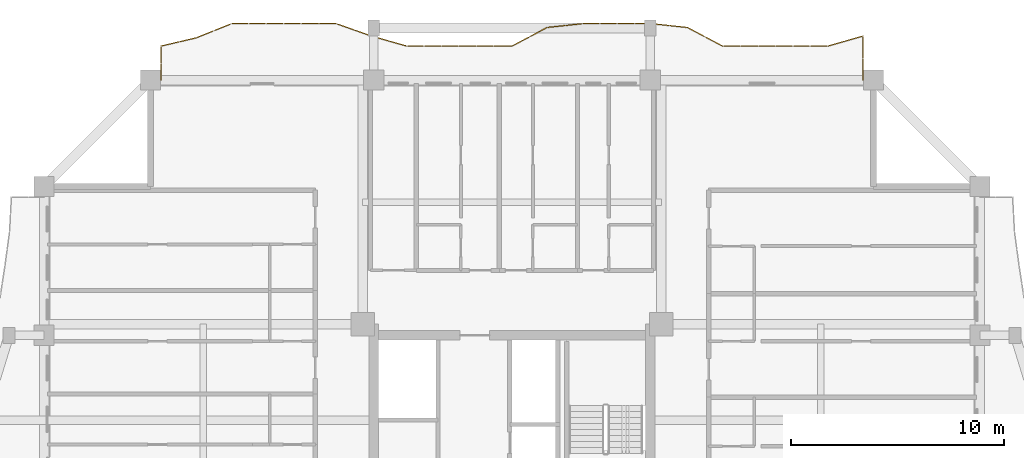
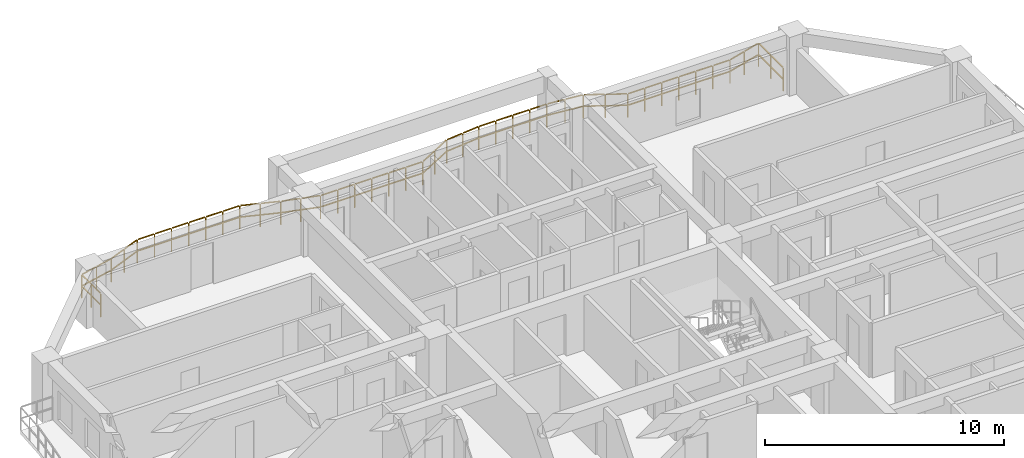
# One storey, part 15 of 15: 1 railing.
"""IFC4 building model written with IfcOpenShell, lengths in metres."""

import ifcopenshell
import ifcopenshell.guid

model = None  # the IFC model being written
_history = None  # IfcOwnerHistory: only IFC2X3 demands one
_inside = {}  # id of a spatial element -> (the spatial element, [elements in it])
_under = {}  # id of a project, library or spatial element -> (it, [spatial elements below it])
_declared = {}  # id of a project -> (the project, [libraries it declares])
_typed = {}  # id of a type object -> (the type object, [elements of that type])
_made_of = {}  # id of a material, layer set ... -> (it, [elements and type objects made of it])


def new_model(schema):
    """Start an empty IFC model of exactly this schema.

    Asked for "IFC4X3", IfcOpenShell would pick the latest addendum, in which some entities
    have other attributes; the version numbers below select the first issue.
    IFC2X3 requires an IfcOwnerHistory on every rooted entity: one is made here for all.
    """
    global model, _history
    if schema == "IFC4X3":
        model = ifcopenshell.file(schema_version=(4, 3, 0, 0))
    else:
        model = ifcopenshell.file(schema=schema)
    _inside.clear()
    _under.clear()
    _declared.clear()
    _typed.clear()
    _made_of.clear()
    _history = None
    if model.schema == "IFC2X3":
        org = make("IfcOrganization", Name="unknown")
        user = make(
            "IfcPersonAndOrganization",
            ThePerson=make("IfcPerson", FamilyName="unknown"),
            TheOrganization=org,
        )
        app = make(
            "IfcApplication",
            ApplicationDeveloper=org,
            Version="unknown",
            ApplicationFullName="unknown",
            ApplicationIdentifier="unknown",
        )
        _history = make(
            "IfcOwnerHistory",
            OwningUser=user,
            OwningApplication=app,
            ChangeAction="ADDED",
            CreationDate=0,
        )
    return model


def make(cls, **values):
    """One entity of the class cls with the attributes given. An attribute that is None is left unset."""
    return model.create_entity(
        cls, **{name: value for name, value in values.items() if value is not None}
    )


def rooted(cls, **values):
    """An entity with a GlobalId (a new one), such as an element, a storey or a relation."""
    return make(cls, GlobalId=ifcopenshell.guid.new(), OwnerHistory=_history, **values)


def si_unit(unit_type, name, prefix=None):
    """IfcSIUnit, for example si_unit("LENGTHUNIT", "METRE", prefix="MILLI")."""
    return make("IfcSIUnit", UnitType=unit_type, Prefix=prefix, Name=name)


def assignment(units):
    """IfcUnitAssignment: the units of a project."""
    return None if units is None else make("IfcUnitAssignment", Units=units)


def point(xyz):
    """IfcCartesianPoint."""
    return None if xyz is None else make("IfcCartesianPoint", Coordinates=xyz)


def direction(xyz):
    """IfcDirection."""
    return None if xyz is None else make("IfcDirection", DirectionRatios=xyz)


def frame(location, z_axis=None, x_axis=None):
    """IfcAxis2Placement3D, a coordinate frame: its origin and axes. An axis left out is left unset."""
    return make(
        "IfcAxis2Placement3D",
        Location=point(location),
        Axis=direction(z_axis),
        RefDirection=direction(x_axis),
    )


def frame_2d(location, x_axis=None):
    """IfcAxis2Placement2D, a coordinate frame in the plane: its origin and x axis."""
    return make(
        "IfcAxis2Placement2D", Location=point(location), RefDirection=direction(x_axis)
    )


def origin():
    """The frame at (0, 0, 0) with its axes left unset."""
    return frame((0.0, 0.0, 0.0))


def origin_2d():
    """The frame at (0, 0) in the plane with its x axis left unset."""
    return frame_2d((0.0, 0.0))


def place(relative_to, where):
    """IfcLocalPlacement: puts the frame where relative to a parent placement (None: the world)."""
    return make(
        "IfcLocalPlacement", PlacementRelTo=relative_to, RelativePlacement=where
    )


def context(
    kind, dimensions, precision=None, world=None, true_north=None, identifier=None
):
    """IfcGeometricRepresentationContext, for example the 3D "Model" context."""
    return make(
        "IfcGeometricRepresentationContext",
        ContextIdentifier=identifier,
        ContextType=kind,
        CoordinateSpaceDimension=dimensions,
        Precision=precision,
        WorldCoordinateSystem=world,
        TrueNorth=true_north,
    )


def subcontext(parent, identifier, kind, view, scale=None):
    """IfcGeometricRepresentationSubContext, for example "Body" below "Model"."""
    return make(
        "IfcGeometricRepresentationSubContext",
        ContextIdentifier=identifier,
        ContextType=kind,
        ParentContext=parent,
        TargetScale=scale,
        TargetView=view,
    )


def project(units=None, contexts=None):
    """IfcProject with its units and contexts."""
    return rooted(
        "IfcProject",
        Name="project",
        RepresentationContexts=contexts,
        UnitsInContext=assignment(units),
    )


def spatial(cls, under=None, at=None, **own):
    """A site, building, storey or space (cls), placed at a placement, below another one or the project."""
    s = rooted(cls, ObjectPlacement=at, **own)
    if under is not None:
        _under.setdefault(under.id(), (under, []))[1].append(s)
    return s


def profile(cls, at=None, kind="AREA", **sizes):
    """A parametric profile (cls). Its sizes go by their IFC names, for example OverallWidth=200.0."""
    return make(cls, ProfileType=kind, Position=at, **sizes)


def rectangle(**sizes):
    """IfcRectangleProfileDef."""
    return profile("IfcRectangleProfileDef", **sizes)


def extrude(swept, where, along, depth):
    """IfcExtrudedAreaSolid: the profile swept, set in the frame where, extruded along a direction by depth."""
    return make(
        "IfcExtrudedAreaSolid",
        SweptArea=swept,
        Position=where,
        ExtrudedDirection=direction(along),
        Depth=depth,
    )


def shape(context_of_items, identifier, shape_type, items):
    """IfcShapeRepresentation: the items that make up one representation, for example the "Body"."""
    return make(
        "IfcShapeRepresentation",
        ContextOfItems=context_of_items,
        RepresentationIdentifier=identifier,
        RepresentationType=shape_type,
        Items=items,
    )


def material(Name=None, Category=None):
    """IfcMaterial."""
    return make("IfcMaterial", Name=Name, Category=Category)


def made_of(thing, what):
    """Note that an element or type object is made of a material, layer set ...; save() writes the relation."""
    if what is not None:
        _made_of.setdefault(what.id(), (what, []))[1].append(thing)
    return thing


def type_object(cls, material=None, **own):
    """A type object (cls), such as IfcWallType, which elements share."""
    return made_of(rooted(cls, **own), material)


def element(
    cls,
    number,
    at=None,
    inside=None,
    cuts=None,
    type_object=None,
    material=None,
    context=None,
    identifier="Body",
    shape_type=None,
    held_by="IfcProductDefinitionShape",
    body=None,
    shapes=None,
    **own,
):
    """One element of the class cls, such as IfcWall. Its Tag is "e" and its number.

    at: its placement. inside: the storey or other place that contains it. cuts: it is an
    opening in that element (IfcRelVoidsElement). A single representation is given by context,
    identifier, shape_type and body (its items); several are given by shapes. held_by: the class
    of the entity that holds the representations. save() writes the other relations.
    """
    e = rooted(cls, Tag="e%d" % number, ObjectPlacement=at, **own)
    if body is not None:
        shapes = [shape(context, identifier, shape_type, body)]
    if shapes is not None:
        e.Representation = make(held_by, Representations=shapes)
    if inside is not None:
        _inside.setdefault(inside.id(), (inside, []))[1].append(e)
    if cuts is not None:
        rooted(
            "IfcRelVoidsElement", RelatingBuildingElement=cuts, RelatedOpeningElement=e
        )
    if type_object is not None:
        _typed.setdefault(type_object.id(), (type_object, []))[1].append(e)
    return made_of(e, material)


def aggregate(whole, parts):
    """IfcRelAggregates: a whole, such as a stair, and the parts it consists of."""
    return rooted("IfcRelAggregates", RelatingObject=whole, RelatedObjects=parts)


def save(model, path):
    """Write the relations noted so far, then the file.

    IfcRelAggregates (storeys below a building ...), IfcRelContainedInSpatialStructure (elements
    in a storey), IfcRelDefinesByType, IfcRelAssociatesMaterial and IfcRelDeclares: one each for
    every whole, place, type object, material and project.
    """
    for whole, parts in _under.values():
        aggregate(whole, parts)
    for where, things in _inside.values():
        rooted(
            "IfcRelContainedInSpatialStructure",
            RelatedElements=things,
            RelatingStructure=where,
        )
    for kind, things in _typed.values():
        rooted("IfcRelDefinesByType", RelatedObjects=things, RelatingType=kind)
    for what, things in _made_of.values():
        rooted("IfcRelAssociatesMaterial", RelatedObjects=things, RelatingMaterial=what)
    for by, libraries in _declared.values():
        rooted("IfcRelDeclares", RelatingContext=by, RelatedDefinitions=libraries)
    model.write(path)


model = new_model("IFC4")

# Units and contexts
model_context = context("Model", 3, precision=1e-05, world=origin(), true_north=direction((0.0, 1.0)))
body_context = subcontext(model_context, "Body", "Model", "MODEL_VIEW")
ifc_project = project(units=[si_unit("LENGTHUNIT", "METRE"), si_unit("AREAUNIT", "SQUARE_METRE"), si_unit("VOLUMEUNIT", "CUBIC_METRE"), si_unit("PLANEANGLEUNIT", "RADIAN"), si_unit("MASSUNIT", "GRAM", prefix="KILO")], contexts=[model_context])

# Site, building, storey
site_placement = place(None, origin())
site = spatial("IfcSite", under=ifc_project, at=site_placement, CompositionType="ELEMENT")
building_placement = place(site_placement, origin())
building = spatial("IfcBuilding", under=site, at=building_placement, Name="Saelheon Loggia Tower", CompositionType="ELEMENT")
storey_placement = place(building_placement, frame((0.0, 0.0, 163.0)))
storey = spatial("IfcBuildingStorey", under=building, at=storey_placement, Name="L51", CompositionType="ELEMENT", Elevation=163.0)

# Railing
ifc_material = material(Name="Architectural Precast Concrete and Laminated Glass Guard", Category="concrete")
railing_type = type_object("IfcRailingType", Name="Guard_Loggia_RL_LOG", PredefinedType="BALUSTRADE", material=ifc_material)
railing_placement = place(storey_placement, frame((54.5, 48.0, 0.0)))
element("IfcRailing", 1, at=railing_placement, inside=storey, type_object=railing_type, Name="L51 North Loggia Balustrade", PredefinedType="BALUSTRADE", context=body_context, shape_type="SweptSolid", body=[
    extrude(rectangle(XDim=0.048095703125, YDim=0.048095703125, at=origin_2d()), frame((0.0, 0.033203125, 1.19580078125), z_axis=(0.0, 1.0, 0.0), x_axis=(-1.0, 0.0, 0.0)), (0.0, 0.0, 1.0), 0.9677734375),
    extrude(rectangle(XDim=0.048095703125, YDim=0.048095703125, at=origin_2d()), frame((0.0, 0.033203125, 0.60986328125), z_axis=(0.0, 1.0, 0.0), x_axis=(-1.0, 0.0, 0.0)), (0.0, 0.0, 1.0), 0.9677734375),
    extrude(rectangle(XDim=0.048095703125, YDim=0.048095703125, at=origin_2d()), frame((0.0, 1.067626953125, 1.19580078125), z_axis=(0.0, 1.0, 0.0), x_axis=(-1.0, 0.0, 0.0)), (0.0, 0.0, 1.0), 0.9677734375),
    extrude(rectangle(XDim=0.048095703125, YDim=0.048095703125, at=origin_2d()), frame((0.0, 1.067626953125, 0.60986328125), z_axis=(0.0, 1.0, 0.0), x_axis=(-1.0, 0.0, 0.0)), (0.0, 0.0, 1.0), 0.9677734375),
    extrude(rectangle(XDim=0.048095703125, YDim=0.048095703125, at=origin_2d()), frame((-0.031982421875, 2.0595703125, 1.19580078125), z_axis=(-0.961968517209, -0.273160341007, 0.0), x_axis=(0.273160341007, -0.961968517209, 0.0)), (0.0, 0.0, 1.0), 0.791015625),
    extrude(rectangle(XDim=0.048095703125, YDim=0.048095703125, at=origin_2d()), frame((-0.031982421875, 2.0595703125, 0.60986328125), z_axis=(-0.961968517209, -0.273160341007, 0.0), x_axis=(0.273160341007, -0.961968517209, 0.0)), (0.0, 0.0, 1.0), 0.791015625),
    extrude(rectangle(XDim=0.048095703125, YDim=0.048095703125, at=origin_2d()), frame((-0.85693359375, 1.8251953125, 1.19580078125), z_axis=(-0.961968517209, -0.273160341007, 0.0), x_axis=(0.273160341007, -0.961968517209, 0.0)), (0.0, 0.0, 1.0), 0.791015625),
    extrude(rectangle(XDim=0.048095703125, YDim=0.048095703125, at=origin_2d()), frame((-0.85693359375, 1.8251953125, 0.60986328125), z_axis=(-0.961968517209, -0.273160341007, 0.0), x_axis=(0.273160341007, -0.961968517209, 0.0)), (0.0, 0.0, 1.0), 0.791015625),
    extrude(rectangle(XDim=0.048095703125, YDim=0.048095703125, at=origin_2d()), frame((-1.68310546875, 1.60009765625, 1.19580078125), z_axis=(-1.0, 0.0, 0.0), x_axis=(0.0, -1.0, 0.0)), (0.0, 0.0, 1.0), 0.758544921875),
    extrude(rectangle(XDim=0.048095703125, YDim=0.048095703125, at=origin_2d()), frame((-1.68310546875, 1.60009765625, 0.60986328125), z_axis=(-1.0, 0.0, 0.0), x_axis=(0.0, -1.0, 0.0)), (0.0, 0.0, 1.0), 0.758544921875),
    extrude(rectangle(XDim=0.048095703125, YDim=0.048095703125, at=origin_2d()), frame((-2.50830078125, 1.60009765625, 1.19580078125), z_axis=(-1.0, 0.0, 0.0), x_axis=(0.0, -1.0, 0.0)), (0.0, 0.0, 1.0), 0.758544921875),
    extrude(rectangle(XDim=0.048095703125, YDim=0.048095703125, at=origin_2d()), frame((-2.50830078125, 1.60009765625, 0.60986328125), z_axis=(-1.0, 0.0, 0.0), x_axis=(0.0, -1.0, 0.0)), (0.0, 0.0, 1.0), 0.758544921875),
    extrude(rectangle(XDim=0.048095703125, YDim=0.048095703125, at=origin_2d()), frame((-3.333251953125, 1.60009765625, 1.19580078125), z_axis=(-1.0, 0.0, 0.0), x_axis=(0.0, -1.0, 0.0)), (0.0, 0.0, 1.0), 0.758544921875),
    extrude(rectangle(XDim=0.048095703125, YDim=0.048095703125, at=origin_2d()), frame((-3.333251953125, 1.60009765625, 0.60986328125), z_axis=(-1.0, 0.0, 0.0), x_axis=(0.0, -1.0, 0.0)), (0.0, 0.0, 1.0), 0.758544921875),
    extrude(rectangle(XDim=0.048095703125, YDim=0.048095703125, at=origin_2d()), frame((-4.158203125, 1.60009765625, 1.19580078125), z_axis=(-1.0, 0.0, 0.0), x_axis=(0.0, -1.0, 0.0)), (0.0, 0.0, 1.0), 0.758544921875),
    extrude(rectangle(XDim=0.048095703125, YDim=0.048095703125, at=origin_2d()), frame((-4.158203125, 1.60009765625, 0.60986328125), z_axis=(-1.0, 0.0, 0.0), x_axis=(0.0, -1.0, 0.0)), (0.0, 0.0, 1.0), 0.758544921875),
    extrude(rectangle(XDim=0.048095703125, YDim=0.048095703125, at=origin_2d()), frame((-4.983154296875, 1.60009765625, 1.19580078125), z_axis=(-1.0, 0.0, 0.0), x_axis=(0.0, -1.0, 0.0)), (0.0, 0.0, 1.0), 0.758544921875),
    extrude(rectangle(XDim=0.048095703125, YDim=0.048095703125, at=origin_2d()), frame((-4.983154296875, 1.60009765625, 0.60986328125), z_axis=(-1.0, 0.0, 0.0), x_axis=(0.0, -1.0, 0.0)), (0.0, 0.0, 1.0), 0.758544921875),
    extrude(rectangle(XDim=0.048095703125, YDim=0.048095703125, at=origin_2d()), frame((-5.808349609375, 1.60009765625, 1.19580078125), z_axis=(-1.0, 0.0, 0.0), x_axis=(0.0, -1.0, 0.0)), (0.0, 0.0, 1.0), 0.758544921875),
    extrude(rectangle(XDim=0.048095703125, YDim=0.048095703125, at=origin_2d()), frame((-5.808349609375, 1.60009765625, 0.60986328125), z_axis=(-1.0, 0.0, 0.0), x_axis=(0.0, -1.0, 0.0)), (0.0, 0.0, 1.0), 0.758544921875),
    extrude(rectangle(XDim=0.048095703125, YDim=0.048095703125, at=origin_2d()), frame((-6.62939453125, 1.61572265625, 1.19580078125), z_axis=(-0.883883339799, 0.467707431655, 0.0), x_axis=(-0.467707431655, -0.883883339799, 0.0)), (0.0, 0.0, 1.0), 0.866943359375),
    extrude(rectangle(XDim=0.048095703125, YDim=0.048095703125, at=origin_2d()), frame((-6.62939453125, 1.61572265625, 0.60986328125), z_axis=(-0.883883339799, 0.467707431655, 0.0), x_axis=(-0.467707431655, -0.883883339799, 0.0)), (0.0, 0.0, 1.0), 0.866943359375),
    extrude(rectangle(XDim=0.048095703125, YDim=0.048095703125, at=origin_2d()), frame((-7.454345703125, 2.05224609375, 1.19580078125), z_axis=(-0.883883339799, 0.467707431655, 0.0), x_axis=(-0.467707431655, -0.883883339799, 0.0)), (0.0, 0.0, 1.0), 0.866943359375),
    extrude(rectangle(XDim=0.048095703125, YDim=0.048095703125, at=origin_2d()), frame((-7.454345703125, 2.05224609375, 0.60986328125), z_axis=(-0.883883339799, 0.467707431655, 0.0), x_axis=(-0.467707431655, -0.883883339799, 0.0)), (0.0, 0.0, 1.0), 0.866943359375),
    extrude(rectangle(XDim=0.048095703125, YDim=0.048095703125, at=origin_2d()), frame((-8.282958984375, 2.476806640625, 1.19580078125), z_axis=(-0.994310267088, 0.106522733556, 0.0), x_axis=(-0.106522733556, -0.994310267088, 0.0)), (0.0, 0.0, 1.0), 0.76318359375),
    extrude(rectangle(XDim=0.048095703125, YDim=0.048095703125, at=origin_2d()), frame((-8.282958984375, 2.476806640625, 0.60986328125), z_axis=(-0.994310267088, 0.106522733556, 0.0), x_axis=(-0.106522733556, -0.994310267088, 0.0)), (0.0, 0.0, 1.0), 0.76318359375),
    extrude(rectangle(XDim=0.048095703125, YDim=0.048095703125, at=origin_2d()), frame((-9.10791015625, 2.565185546875, 1.19580078125), z_axis=(-0.994310267088, 0.106522733556, 0.0), x_axis=(-0.106522733556, -0.994310267088, 0.0)), (0.0, 0.0, 1.0), 0.76318359375),
    extrude(rectangle(XDim=0.048095703125, YDim=0.048095703125, at=origin_2d()), frame((-9.10791015625, 2.565185546875, 0.60986328125), z_axis=(-0.994310267088, 0.106522733556, 0.0), x_axis=(-0.106522733556, -0.994310267088, 0.0)), (0.0, 0.0, 1.0), 0.76318359375),
    extrude(rectangle(XDim=0.048095703125, YDim=0.048095703125, at=origin_2d()), frame((-9.93310546875, 2.64990234375, 1.19580078125), z_axis=(-1.0, 0.0, 0.0), x_axis=(0.0, -1.0, 0.0)), (0.0, 0.0, 1.0), 0.758544921875),
    extrude(rectangle(XDim=0.048095703125, YDim=0.048095703125, at=origin_2d()), frame((-9.93310546875, 2.64990234375, 0.60986328125), z_axis=(-1.0, 0.0, 0.0), x_axis=(0.0, -1.0, 0.0)), (0.0, 0.0, 1.0), 0.758544921875),
    extrude(rectangle(XDim=0.048095703125, YDim=0.048095703125, at=origin_2d()), frame((-10.75830078125, 2.64990234375, 1.19580078125), z_axis=(-1.0, 0.0, 0.0), x_axis=(0.0, -1.0, 0.0)), (0.0, 0.0, 1.0), 0.758544921875),
    extrude(rectangle(XDim=0.048095703125, YDim=0.048095703125, at=origin_2d()), frame((-10.75830078125, 2.64990234375, 0.60986328125), z_axis=(-1.0, 0.0, 0.0), x_axis=(0.0, -1.0, 0.0)), (0.0, 0.0, 1.0), 0.758544921875),
    extrude(rectangle(XDim=0.048095703125, YDim=0.048095703125, at=origin_2d()), frame((-11.583251953125, 2.64990234375, 1.19580078125), z_axis=(-1.0, 0.0, 0.0), x_axis=(0.0, -1.0, 0.0)), (0.0, 0.0, 1.0), 0.758544921875),
    extrude(rectangle(XDim=0.048095703125, YDim=0.048095703125, at=origin_2d()), frame((-11.583251953125, 2.64990234375, 0.60986328125), z_axis=(-1.0, 0.0, 0.0), x_axis=(0.0, -1.0, 0.0)), (0.0, 0.0, 1.0), 0.758544921875),
    extrude(rectangle(XDim=0.048095703125, YDim=0.048095703125, at=origin_2d()), frame((-12.408203125, 2.64990234375, 1.19580078125), z_axis=(-1.0, 0.0, 0.0), x_axis=(0.0, -1.0, 0.0)), (0.0, 0.0, 1.0), 0.758544921875),
    extrude(rectangle(XDim=0.048095703125, YDim=0.048095703125, at=origin_2d()), frame((-12.408203125, 2.64990234375, 0.60986328125), z_axis=(-1.0, 0.0, 0.0), x_axis=(0.0, -1.0, 0.0)), (0.0, 0.0, 1.0), 0.758544921875),
    extrude(rectangle(XDim=0.048095703125, YDim=0.048095703125, at=origin_2d()), frame((-13.23291015625, 2.646484375, 1.19580078125), z_axis=(-0.994311936229, -0.106507152216, 0.0), x_axis=(0.106507152216, -0.994311936229, 0.0)), (0.0, 0.0, 1.0), 0.763427734375),
    extrude(rectangle(XDim=0.048095703125, YDim=0.048095703125, at=origin_2d()), frame((-13.23291015625, 2.646484375, 0.60986328125), z_axis=(-0.994311936229, -0.106507152216, 0.0), x_axis=(0.106507152216, -0.994311936229, 0.0)), (0.0, 0.0, 1.0), 0.763427734375),
    extrude(rectangle(XDim=0.048095703125, YDim=0.048095703125, at=origin_2d()), frame((-14.05810546875, 2.55810546875, 1.19580078125), z_axis=(-0.994311936229, -0.106507152216, 0.0), x_axis=(0.106507152216, -0.994311936229, 0.0)), (0.0, 0.0, 1.0), 0.763427734375),
    extrude(rectangle(XDim=0.048095703125, YDim=0.048095703125, at=origin_2d()), frame((-14.05810546875, 2.55810546875, 0.60986328125), z_axis=(-0.994311936229, -0.106507152216, 0.0), x_axis=(0.106507152216, -0.994311936229, 0.0)), (0.0, 0.0, 1.0), 0.763427734375),
    extrude(rectangle(XDim=0.048095703125, YDim=0.048095703125, at=origin_2d()), frame((-14.87939453125, 2.45751953125, 1.19580078125), z_axis=(-0.883883339799, -0.467707431655, 0.0), x_axis=(0.467707431655, -0.883883339799, 0.0)), (0.0, 0.0, 1.0), 0.866943359375),
    extrude(rectangle(XDim=0.048095703125, YDim=0.048095703125, at=origin_2d()), frame((-14.87939453125, 2.45751953125, 0.60986328125), z_axis=(-0.883883339799, -0.467707431655, 0.0), x_axis=(0.467707431655, -0.883883339799, 0.0)), (0.0, 0.0, 1.0), 0.866943359375),
    extrude(rectangle(XDim=0.048095703125, YDim=0.048095703125, at=origin_2d()), frame((-15.704345703125, 2.02099609375, 1.19580078125), z_axis=(-0.883883339799, -0.467707431655, 0.0), x_axis=(0.467707431655, -0.883883339799, 0.0)), (0.0, 0.0, 1.0), 0.866943359375),
    extrude(rectangle(XDim=0.048095703125, YDim=0.048095703125, at=origin_2d()), frame((-15.704345703125, 2.02099609375, 0.60986328125), z_axis=(-0.883883339799, -0.467707431655, 0.0), x_axis=(0.467707431655, -0.883883339799, 0.0)), (0.0, 0.0, 1.0), 0.866943359375),
    extrude(rectangle(XDim=0.048095703125, YDim=0.048095703125, at=origin_2d()), frame((-16.533203125, 1.60009765625, 1.19580078125), z_axis=(-1.0, 0.0, 0.0), x_axis=(0.0, -1.0, 0.0)), (0.0, 0.0, 1.0), 0.758544921875),
    extrude(rectangle(XDim=0.048095703125, YDim=0.048095703125, at=origin_2d()), frame((-16.533203125, 1.60009765625, 0.60986328125), z_axis=(-1.0, 0.0, 0.0), x_axis=(0.0, -1.0, 0.0)), (0.0, 0.0, 1.0), 0.758544921875),
    extrude(rectangle(XDim=0.048095703125, YDim=0.048095703125, at=origin_2d()), frame((-17.358154296875, 1.60009765625, 1.19580078125), z_axis=(-1.0, 0.0, 0.0), x_axis=(0.0, -1.0, 0.0)), (0.0, 0.0, 1.0), 0.758544921875),
    extrude(rectangle(XDim=0.048095703125, YDim=0.048095703125, at=origin_2d()), frame((-17.358154296875, 1.60009765625, 0.60986328125), z_axis=(-1.0, 0.0, 0.0), x_axis=(0.0, -1.0, 0.0)), (0.0, 0.0, 1.0), 0.758544921875),
    extrude(rectangle(XDim=0.048095703125, YDim=0.048095703125, at=origin_2d()), frame((-18.18310546875, 1.60009765625, 1.19580078125), z_axis=(-1.0, 0.0, 0.0), x_axis=(0.0, -1.0, 0.0)), (0.0, 0.0, 1.0), 0.758544921875),
    extrude(rectangle(XDim=0.048095703125, YDim=0.048095703125, at=origin_2d()), frame((-18.18310546875, 1.60009765625, 0.60986328125), z_axis=(-1.0, 0.0, 0.0), x_axis=(0.0, -1.0, 0.0)), (0.0, 0.0, 1.0), 0.758544921875),
    extrude(rectangle(XDim=0.048095703125, YDim=0.048095703125, at=origin_2d()), frame((-19.00830078125, 1.60009765625, 1.19580078125), z_axis=(-1.0, 0.0, 0.0), x_axis=(0.0, -1.0, 0.0)), (0.0, 0.0, 1.0), 0.758544921875),
    extrude(rectangle(XDim=0.048095703125, YDim=0.048095703125, at=origin_2d()), frame((-19.00830078125, 1.60009765625, 0.60986328125), z_axis=(-1.0, 0.0, 0.0), x_axis=(0.0, -1.0, 0.0)), (0.0, 0.0, 1.0), 0.758544921875),
    extrude(rectangle(XDim=0.048095703125, YDim=0.048095703125, at=origin_2d()), frame((-19.833251953125, 1.60009765625, 1.19580078125), z_axis=(-1.0, 0.0, 0.0), x_axis=(0.0, -1.0, 0.0)), (0.0, 0.0, 1.0), 0.758544921875),
    extrude(rectangle(XDim=0.048095703125, YDim=0.048095703125, at=origin_2d()), frame((-19.833251953125, 1.60009765625, 0.60986328125), z_axis=(-1.0, 0.0, 0.0), x_axis=(0.0, -1.0, 0.0)), (0.0, 0.0, 1.0), 0.758544921875),
    extrude(rectangle(XDim=0.048095703125, YDim=0.048095703125, at=origin_2d()), frame((-20.658203125, 1.60009765625, 1.19580078125), z_axis=(-1.0, 0.0, 0.0), x_axis=(0.0, -1.0, 0.0)), (0.0, 0.0, 1.0), 0.758544921875),
    extrude(rectangle(XDim=0.048095703125, YDim=0.048095703125, at=origin_2d()), frame((-20.658203125, 1.60009765625, 0.60986328125), z_axis=(-1.0, 0.0, 0.0), x_axis=(0.0, -1.0, 0.0)), (0.0, 0.0, 1.0), 0.758544921875),
    extrude(rectangle(XDim=0.048095703125, YDim=0.048095703125, at=origin_2d()), frame((-21.48193359375, 1.609130859375, 1.19580078125), z_axis=(-0.961979136335, 0.273122941652, 0.0), x_axis=(-0.273122941652, -0.961979136335, 0.0)), (0.0, 0.0, 1.0), 0.791259765625),
    extrude(rectangle(XDim=0.048095703125, YDim=0.048095703125, at=origin_2d()), frame((-21.48193359375, 1.609130859375, 0.60986328125), z_axis=(-0.961979136335, 0.273122941652, 0.0), x_axis=(-0.273122941652, -0.961979136335, 0.0)), (0.0, 0.0, 1.0), 0.791259765625),
    extrude(rectangle(XDim=0.048095703125, YDim=0.048095703125, at=origin_2d()), frame((-22.306884765625, 1.843505859375, 1.19580078125), z_axis=(-0.961979136335, 0.273122941652, 0.0), x_axis=(-0.273122941652, -0.961979136335, 0.0)), (0.0, 0.0, 1.0), 0.791259765625),
    extrude(rectangle(XDim=0.048095703125, YDim=0.048095703125, at=origin_2d()), frame((-22.306884765625, 1.843505859375, 0.60986328125), z_axis=(-0.961979136335, 0.273122941652, 0.0), x_axis=(-0.273122941652, -0.961979136335, 0.0)), (0.0, 0.0, 1.0), 0.791259765625),
    extrude(rectangle(XDim=0.048095703125, YDim=0.048095703125, at=origin_2d()), frame((-23.13134765625, 2.07958984375, 1.19580078125), z_axis=(-0.943173127257, 0.332301748446, 0.0), x_axis=(-0.332301748446, -0.943173127257, 0.0)), (0.0, 0.0, 1.0), 0.80810546875),
    extrude(rectangle(XDim=0.048095703125, YDim=0.048095703125, at=origin_2d()), frame((-23.13134765625, 2.07958984375, 0.60986328125), z_axis=(-0.943173127257, 0.332301748446, 0.0), x_axis=(-0.332301748446, -0.943173127257, 0.0)), (0.0, 0.0, 1.0), 0.80810546875),
    extrude(rectangle(XDim=0.048095703125, YDim=0.048095703125, at=origin_2d()), frame((-23.956298828125, 2.370361328125, 1.19580078125), z_axis=(-0.943173127257, 0.332301748446, 0.0), x_axis=(-0.332301748446, -0.943173127257, 0.0)), (0.0, 0.0, 1.0), 0.80810546875),
    extrude(rectangle(XDim=0.048095703125, YDim=0.048095703125, at=origin_2d()), frame((-23.956298828125, 2.370361328125, 0.60986328125), z_axis=(-0.943173127257, 0.332301748446, 0.0), x_axis=(-0.332301748446, -0.943173127257, 0.0)), (0.0, 0.0, 1.0), 0.80810546875),
    extrude(rectangle(XDim=0.048095703125, YDim=0.048095703125, at=origin_2d()), frame((-24.783203125, 2.64990234375, 1.19580078125), z_axis=(-1.0, 0.0, 0.0), x_axis=(0.0, -1.0, 0.0)), (0.0, 0.0, 1.0), 0.758544921875),
    extrude(rectangle(XDim=0.048095703125, YDim=0.048095703125, at=origin_2d()), frame((-24.783203125, 2.64990234375, 0.60986328125), z_axis=(-1.0, 0.0, 0.0), x_axis=(0.0, -1.0, 0.0)), (0.0, 0.0, 1.0), 0.758544921875),
    extrude(rectangle(XDim=0.048095703125, YDim=0.048095703125, at=origin_2d()), frame((-25.608154296875, 2.64990234375, 1.19580078125), z_axis=(-1.0, 0.0, 0.0), x_axis=(0.0, -1.0, 0.0)), (0.0, 0.0, 1.0), 0.758544921875),
    extrude(rectangle(XDim=0.048095703125, YDim=0.048095703125, at=origin_2d()), frame((-25.608154296875, 2.64990234375, 0.60986328125), z_axis=(-1.0, 0.0, 0.0), x_axis=(0.0, -1.0, 0.0)), (0.0, 0.0, 1.0), 0.758544921875),
    extrude(rectangle(XDim=0.048095703125, YDim=0.048095703125, at=origin_2d()), frame((-26.43310546875, 2.64990234375, 1.19580078125), z_axis=(-1.0, 0.0, 0.0), x_axis=(0.0, -1.0, 0.0)), (0.0, 0.0, 1.0), 0.758544921875),
    extrude(rectangle(XDim=0.048095703125, YDim=0.048095703125, at=origin_2d()), frame((-26.43310546875, 2.64990234375, 0.60986328125), z_axis=(-1.0, 0.0, 0.0), x_axis=(0.0, -1.0, 0.0)), (0.0, 0.0, 1.0), 0.758544921875),
    extrude(rectangle(XDim=0.048095703125, YDim=0.048095703125, at=origin_2d()), frame((-27.25830078125, 2.64990234375, 1.19580078125), z_axis=(-1.0, 0.0, 0.0), x_axis=(0.0, -1.0, 0.0)), (0.0, 0.0, 1.0), 0.758544921875),
    extrude(rectangle(XDim=0.048095703125, YDim=0.048095703125, at=origin_2d()), frame((-27.25830078125, 2.64990234375, 0.60986328125), z_axis=(-1.0, 0.0, 0.0), x_axis=(0.0, -1.0, 0.0)), (0.0, 0.0, 1.0), 0.758544921875),
    extrude(rectangle(XDim=0.048095703125, YDim=0.048095703125, at=origin_2d()), frame((-28.083251953125, 2.64990234375, 1.19580078125), z_axis=(-1.0, 0.0, 0.0), x_axis=(0.0, -1.0, 0.0)), (0.0, 0.0, 1.0), 0.758544921875),
    extrude(rectangle(XDim=0.048095703125, YDim=0.048095703125, at=origin_2d()), frame((-28.083251953125, 2.64990234375, 0.60986328125), z_axis=(-1.0, 0.0, 0.0), x_axis=(0.0, -1.0, 0.0)), (0.0, 0.0, 1.0), 0.758544921875),
    extrude(rectangle(XDim=0.048095703125, YDim=0.048095703125, at=origin_2d()), frame((-28.908203125, 2.64990234375, 1.19580078125), z_axis=(-1.0, 0.0, 0.0), x_axis=(0.0, -1.0, 0.0)), (0.0, 0.0, 1.0), 0.758544921875),
    extrude(rectangle(XDim=0.048095703125, YDim=0.048095703125, at=origin_2d()), frame((-28.908203125, 2.64990234375, 0.60986328125), z_axis=(-1.0, 0.0, 0.0), x_axis=(0.0, -1.0, 0.0)), (0.0, 0.0, 1.0), 0.758544921875),
    extrude(rectangle(XDim=0.048095703125, YDim=0.048095703125, at=origin_2d()), frame((-29.730712890625, 2.637451171875, 1.19580078125), z_axis=(-0.927983503155, -0.372621279414, 0.0), x_axis=(0.372621279414, -0.927983503155, 0.0)), (0.0, 0.0, 1.0), 0.82275390625),
    extrude(rectangle(XDim=0.048095703125, YDim=0.048095703125, at=origin_2d()), frame((-29.730712890625, 2.637451171875, 0.60986328125), z_axis=(-0.927983503155, -0.372621279414, 0.0), x_axis=(0.372621279414, -0.927983503155, 0.0)), (0.0, 0.0, 1.0), 0.82275390625),
    extrude(rectangle(XDim=0.048095703125, YDim=0.048095703125, at=origin_2d()), frame((-30.555908203125, 2.30615234375, 1.19580078125), z_axis=(-0.927983503155, -0.372621279414, 0.0), x_axis=(0.372621279414, -0.927983503155, 0.0)), (0.0, 0.0, 1.0), 0.82275390625),
    extrude(rectangle(XDim=0.048095703125, YDim=0.048095703125, at=origin_2d()), frame((-30.555908203125, 2.30615234375, 0.60986328125), z_axis=(-0.927983503155, -0.372621279414, 0.0), x_axis=(0.372621279414, -0.927983503155, 0.0)), (0.0, 0.0, 1.0), 0.82275390625),
    extrude(rectangle(XDim=0.048095703125, YDim=0.048095703125, at=origin_2d()), frame((-31.382568359375, 1.979736328125, 1.19580078125), z_axis=(-0.973549256747, -0.228477230127, 0.0), x_axis=(0.228477230127, -0.973549256747, 0.0)), (0.0, 0.0, 1.0), 0.781005859375),
    extrude(rectangle(XDim=0.048095703125, YDim=0.048095703125, at=origin_2d()), frame((-31.382568359375, 1.979736328125, 0.60986328125), z_axis=(-0.973549256747, -0.228477230127, 0.0), x_axis=(0.228477230127, -0.973549256747, 0.0)), (0.0, 0.0, 1.0), 0.781005859375),
    extrude(rectangle(XDim=0.048095703125, YDim=0.048095703125, at=origin_2d()), frame((-32.20751953125, 1.7861328125, 1.19580078125), z_axis=(-0.973549256747, -0.228477230127, 0.0), x_axis=(0.228477230127, -0.973549256747, 0.0)), (0.0, 0.0, 1.0), 0.781005859375),
    extrude(rectangle(XDim=0.048095703125, YDim=0.048095703125, at=origin_2d()), frame((-32.20751953125, 1.7861328125, 0.60986328125), z_axis=(-0.973549256747, -0.228477230127, 0.0), x_axis=(0.228477230127, -0.973549256747, 0.0)), (0.0, 0.0, 1.0), 0.781005859375),
    extrude(rectangle(XDim=0.048095703125, YDim=0.048095703125, at=origin_2d()), frame((-33.0, 1.56689453125, 1.19580078125), z_axis=(0.0, -1.0, 0.0), x_axis=(1.0, 0.0, 0.0)), (0.0, 0.0, 1.0), 0.733642578125),
    extrude(rectangle(XDim=0.048095703125, YDim=0.048095703125, at=origin_2d()), frame((-33.0, 1.56689453125, 0.60986328125), z_axis=(0.0, -1.0, 0.0), x_axis=(1.0, 0.0, 0.0)), (0.0, 0.0, 1.0), 0.733642578125),
    extrude(rectangle(XDim=0.048095703125, YDim=0.048095703125, at=origin_2d()), frame((-33.0, 0.766845703125, 1.19580078125), z_axis=(0.0, -1.0, 0.0), x_axis=(1.0, 0.0, 0.0)), (0.0, 0.0, 1.0), 0.733642578125),
    extrude(rectangle(XDim=0.048095703125, YDim=0.048095703125, at=origin_2d()), frame((-33.0, 0.766845703125, 0.60986328125), z_axis=(0.0, -1.0, 0.0), x_axis=(1.0, 0.0, 0.0)), (0.0, 0.0, 1.0), 0.733642578125),
    extrude(rectangle(XDim=0.0419921875, YDim=0.0419921875, at=origin_2d()), origin(), (0.0, 0.0, 1.0), 1.16796875),
    extrude(rectangle(XDim=0.0419921875, YDim=0.0419921875, at=origin_2d()), frame((0.0, 1.0341796875, 0.0)), (0.0, 0.0, 1.0), 1.16796875),
    extrude(rectangle(XDim=0.0419921875, YDim=0.0419921875, at=origin_2d()), frame((0.0, 2.068603515625, 0.0)), (0.0, 0.0, 1.0), 1.16796875),
    extrude(rectangle(XDim=0.0419921875, YDim=0.0419921875, at=origin_2d()), frame((-0.824951171875, 1.83447265625, 0.0)), (0.0, 0.0, 1.0), 1.16796875),
    extrude(rectangle(XDim=0.0419921875, YDim=0.0419921875, at=origin_2d()), frame((-1.64990234375, 1.60009765625, 0.0)), (0.0, 0.0, 1.0), 1.16796875),
    extrude(rectangle(XDim=0.0419921875, YDim=0.0419921875, at=origin_2d()), frame((-2.47509765625, 1.60009765625, 0.0)), (0.0, 0.0, 1.0), 1.16796875),
    extrude(rectangle(XDim=0.0419921875, YDim=0.0419921875, at=origin_2d()), frame((-3.300048828125, 1.60009765625, 0.0)), (0.0, 0.0, 1.0), 1.16796875),
    extrude(rectangle(XDim=0.0419921875, YDim=0.0419921875, at=origin_2d()), frame((-4.125, 1.60009765625, 0.0)), (0.0, 0.0, 1.0), 1.16796875),
    extrude(rectangle(XDim=0.0419921875, YDim=0.0419921875, at=origin_2d()), frame((-4.949951171875, 1.60009765625, 0.0)), (0.0, 0.0, 1.0), 1.16796875),
    extrude(rectangle(XDim=0.0419921875, YDim=0.0419921875, at=origin_2d()), frame((-5.77490234375, 1.60009765625, 0.0)), (0.0, 0.0, 1.0), 1.16796875),
    extrude(rectangle(XDim=0.0419921875, YDim=0.0419921875, at=origin_2d()), frame((-6.60009765625, 1.60009765625, 0.0)), (0.0, 0.0, 1.0), 1.16796875),
    extrude(rectangle(XDim=0.0419921875, YDim=0.0419921875, at=origin_2d()), frame((-7.425048828125, 2.03662109375, 0.0)), (0.0, 0.0, 1.0), 1.16796875),
    extrude(rectangle(XDim=0.0419921875, YDim=0.0419921875, at=origin_2d()), frame((-8.25, 2.47314453125, 0.0)), (0.0, 0.0, 1.0), 1.16796875),
    extrude(rectangle(XDim=0.0419921875, YDim=0.0419921875, at=origin_2d()), frame((-9.074951171875, 2.5615234375, 0.0)), (0.0, 0.0, 1.0), 1.16796875),
    extrude(rectangle(XDim=0.0419921875, YDim=0.0419921875, at=origin_2d()), frame((-9.89990234375, 2.64990234375, 0.0)), (0.0, 0.0, 1.0), 1.16796875),
    extrude(rectangle(XDim=0.0419921875, YDim=0.0419921875, at=origin_2d()), frame((-10.72509765625, 2.64990234375, 0.0)), (0.0, 0.0, 1.0), 1.16796875),
    extrude(rectangle(XDim=0.0419921875, YDim=0.0419921875, at=origin_2d()), frame((-11.550048828125, 2.64990234375, 0.0)), (0.0, 0.0, 1.0), 1.16796875),
    extrude(rectangle(XDim=0.0419921875, YDim=0.0419921875, at=origin_2d()), frame((-12.375, 2.64990234375, 0.0)), (0.0, 0.0, 1.0), 1.16796875),
    extrude(rectangle(XDim=0.0419921875, YDim=0.0419921875, at=origin_2d()), frame((-13.199951171875, 2.64990234375, 0.0)), (0.0, 0.0, 1.0), 1.16796875),
    extrude(rectangle(XDim=0.0419921875, YDim=0.0419921875, at=origin_2d()), frame((-14.02490234375, 2.5615234375, 0.0)), (0.0, 0.0, 1.0), 1.16796875),
    extrude(rectangle(XDim=0.0419921875, YDim=0.0419921875, at=origin_2d()), frame((-14.85009765625, 2.47314453125, 0.0)), (0.0, 0.0, 1.0), 1.16796875),
    extrude(rectangle(XDim=0.0419921875, YDim=0.0419921875, at=origin_2d()), frame((-15.675048828125, 2.03662109375, 0.0)), (0.0, 0.0, 1.0), 1.16796875),
    extrude(rectangle(XDim=0.0419921875, YDim=0.0419921875, at=origin_2d()), frame((-16.5, 1.60009765625, 0.0)), (0.0, 0.0, 1.0), 1.16796875),
    extrude(rectangle(XDim=0.0419921875, YDim=0.0419921875, at=origin_2d()), frame((-17.324951171875, 1.60009765625, 0.0)), (0.0, 0.0, 1.0), 1.16796875),
    extrude(rectangle(XDim=0.0419921875, YDim=0.0419921875, at=origin_2d()), frame((-18.14990234375, 1.60009765625, 0.0)), (0.0, 0.0, 1.0), 1.16796875),
    extrude(rectangle(XDim=0.0419921875, YDim=0.0419921875, at=origin_2d()), frame((-18.97509765625, 1.60009765625, 0.0)), (0.0, 0.0, 1.0), 1.16796875),
    extrude(rectangle(XDim=0.0419921875, YDim=0.0419921875, at=origin_2d()), frame((-19.800048828125, 1.60009765625, 0.0)), (0.0, 0.0, 1.0), 1.16796875),
    extrude(rectangle(XDim=0.0419921875, YDim=0.0419921875, at=origin_2d()), frame((-20.625, 1.60009765625, 0.0)), (0.0, 0.0, 1.0), 1.16796875),
    extrude(rectangle(XDim=0.0419921875, YDim=0.0419921875, at=origin_2d()), frame((-21.449951171875, 1.60009765625, 0.0)), (0.0, 0.0, 1.0), 1.16796875),
    extrude(rectangle(XDim=0.0419921875, YDim=0.0419921875, at=origin_2d()), frame((-22.27490234375, 1.83447265625, 0.0)), (0.0, 0.0, 1.0), 1.16796875),
    extrude(rectangle(XDim=0.0419921875, YDim=0.0419921875, at=origin_2d()), frame((-23.10009765625, 2.068603515625, 0.0)), (0.0, 0.0, 1.0), 1.16796875),
    extrude(rectangle(XDim=0.0419921875, YDim=0.0419921875, at=origin_2d()), frame((-23.925048828125, 2.359375, 0.0)), (0.0, 0.0, 1.0), 1.16796875),
    extrude(rectangle(XDim=0.0419921875, YDim=0.0419921875, at=origin_2d()), frame((-24.75, 2.64990234375, 0.0)), (0.0, 0.0, 1.0), 1.16796875),
    extrude(rectangle(XDim=0.0419921875, YDim=0.0419921875, at=origin_2d()), frame((-25.574951171875, 2.64990234375, 0.0)), (0.0, 0.0, 1.0), 1.16796875),
    extrude(rectangle(XDim=0.0419921875, YDim=0.0419921875, at=origin_2d()), frame((-26.39990234375, 2.64990234375, 0.0)), (0.0, 0.0, 1.0), 1.16796875),
    extrude(rectangle(XDim=0.0419921875, YDim=0.0419921875, at=origin_2d()), frame((-27.22509765625, 2.64990234375, 0.0)), (0.0, 0.0, 1.0), 1.16796875),
    extrude(rectangle(XDim=0.0419921875, YDim=0.0419921875, at=origin_2d()), frame((-28.050048828125, 2.64990234375, 0.0)), (0.0, 0.0, 1.0), 1.16796875),
    extrude(rectangle(XDim=0.0419921875, YDim=0.0419921875, at=origin_2d()), frame((-28.875, 2.64990234375, 0.0)), (0.0, 0.0, 1.0), 1.16796875),
    extrude(rectangle(XDim=0.0419921875, YDim=0.0419921875, at=origin_2d()), frame((-29.699951171875, 2.64990234375, 0.0)), (0.0, 0.0, 1.0), 1.16796875),
    extrude(rectangle(XDim=0.0419921875, YDim=0.0419921875, at=origin_2d()), frame((-30.52490234375, 2.318603515625, 0.0)), (0.0, 0.0, 1.0), 1.16796875),
    extrude(rectangle(XDim=0.0419921875, YDim=0.0419921875, at=origin_2d()), frame((-31.35009765625, 1.9873046875, 0.0)), (0.0, 0.0, 1.0), 1.16796875),
    extrude(rectangle(XDim=0.0419921875, YDim=0.0419921875, at=origin_2d()), frame((-32.175048828125, 1.793701171875, 0.0)), (0.0, 0.0, 1.0), 1.16796875),
    extrude(rectangle(XDim=0.0419921875, YDim=0.0419921875, at=origin_2d()), frame((-33.0, 1.60009765625, 0.0)), (0.0, 0.0, 1.0), 1.16796875),
    extrude(rectangle(XDim=0.0419921875, YDim=0.0419921875, at=origin_2d()), frame((-33.0, 0.800048828125, 0.0)), (0.0, 0.0, 1.0), 1.16796875),
    extrude(rectangle(XDim=0.0419921875, YDim=0.0419921875, at=origin_2d()), frame((-33.0, 0.0, 0.0)), (0.0, 0.0, 1.0), 1.16796875),
])

save(model, "model.ifc")
